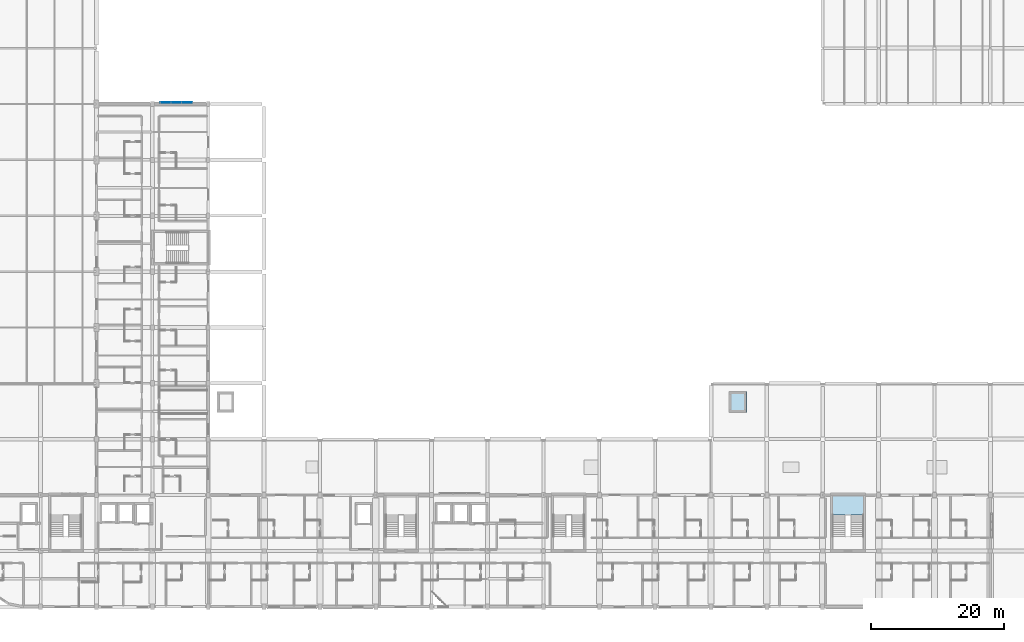
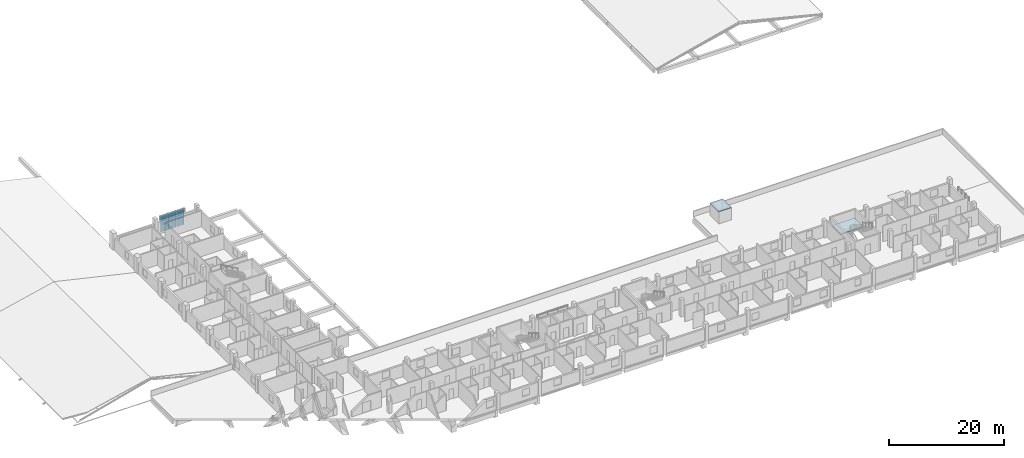
# One storey, part 15 of 42: 6 plates, 2 slabs, 2 elements without a shape of their own.
"""IFC4 building model written with IfcOpenShell, lengths in metres."""

from ifc_helpers import new_model, si_unit, derived_unit, direction, frame, origin, origin_2d, place, context, subcontext, project, spatial, polyline, rectangle, outline, extrude, material, layer, layer_set, type_object, element, aggregate, save


model = new_model("IFC4")

# Units and contexts
model_context = context("Model", 3, precision=1e-05, world=origin(), true_north=direction((0.0, 1.0)))
body_context = subcontext(model_context, "Body", "Model", "MODEL_VIEW")
ifc_project = project(units=[si_unit("LENGTHUNIT", "METRE"), si_unit("AREAUNIT", "SQUARE_METRE"), si_unit("VOLUMEUNIT", "CUBIC_METRE"), si_unit("PLANEANGLEUNIT", "RADIAN"), si_unit("MASSUNIT", "GRAM", prefix="KILO"), derived_unit("THERMALTRANSMITTANCEUNIT", [(si_unit("POWERUNIT", "WATT"), 1), (si_unit("LENGTHUNIT", "METRE"), -2), (si_unit("THERMODYNAMICTEMPERATUREUNIT", "KELVIN"), -1)])], contexts=[model_context])

# Site, building, storey
site_placement = place(None, origin())
site = spatial("IfcSite", under=ifc_project, at=site_placement, CompositionType="ELEMENT")
building_placement = place(site_placement, origin())
building = spatial("IfcBuilding", under=site, at=building_placement, Name="Barrovel Congress Hotel", CompositionType="ELEMENT")
storey_placement = place(building_placement, frame((0.0, 0.0, 18.300048828125)))
storey = spatial("IfcBuildingStorey", under=building, at=storey_placement, Name="L04", CompositionType="ELEMENT", Elevation=18.300048828125)

# Curtain wall, plates
ifc_material_1 = material(Name="Anodised Aluminium Alloy 6063-T6", Category="aluminium")
curtain_wall_type = type_object("IfcCurtainWallType", Name="CW-UN-4800x3200", PredefinedType="USERDEFINED", material=ifc_material_1)
curtain_wall_placement = place(storey_placement, origin())
curtain_wall = element("IfcCurtainWall", 1, at=curtain_wall_placement, inside=storey, type_object=curtain_wall_type, Name="CW:L04:UN-2", ObjectType="UNITISED CURTAIN WALL", PredefinedType="USERDEFINED")
ifc_material_2 = material(Name="Double Low-E Insulated Glazing", Category="glass")
ifc_layer_1 = layer(ifc_material_2, 0.028076171875)
ifc_layer_set_1 = layer_set([ifc_layer_1], Name="Double Low-E Insulated Glazing")
plate_type = type_object("IfcPlateType", Name="CWP-28", PredefinedType="CURTAIN_PANEL", material=ifc_layer_set_1)
plate_1_placement = place(storey_placement, frame((44.0, 80.02001953125, 0.030029296875), z_axis=(0.0, 0.0, 1.0), x_axis=(1.0, 0.0, 0.0)))
plate_1 = element("IfcPlate", 2, at=plate_1_placement, type_object=plate_type, Name="CW:L04:UN-2:P0-0", PredefinedType="CURTAIN_PANEL", context=body_context, shape_type="SweptSolid", body=[
    extrude(rectangle(XDim=1.5400390625, YDim=0.028076171875, at=origin_2d()), origin(), (0.0, 0.0, 1.0), 1.56494140625),
])
plate_2_placement = place(storey_placement, frame((44.0, 80.02001953125, 1.655029296875), z_axis=(0.0, 0.0, 1.0), x_axis=(1.0, 0.0, 0.0)))
plate_2 = element("IfcPlate", 3, at=plate_2_placement, type_object=plate_type, Name="CW:L04:UN-2:P0-1", PredefinedType="CURTAIN_PANEL", context=body_context, shape_type="SweptSolid", body=[
    extrude(rectangle(XDim=1.5400390625, YDim=0.028076171875, at=origin_2d()), origin(), (0.0, 0.0, 1.0), 1.56494140625),
])
plate_3_placement = place(storey_placement, frame((45.60009765625, 80.02001953125, 0.030029296875), z_axis=(0.0, 0.0, 1.0), x_axis=(1.0, 0.0, 0.0)))
plate_3 = element("IfcPlate", 4, at=plate_3_placement, type_object=plate_type, Name="CW:L04:UN-2:P1-0", PredefinedType="CURTAIN_PANEL", context=body_context, shape_type="SweptSolid", body=[
    extrude(rectangle(XDim=1.5400390625, YDim=0.028076171875, at=origin_2d()), origin(), (0.0, 0.0, 1.0), 1.56494140625),
])
plate_4_placement = place(storey_placement, frame((45.60009765625, 80.02001953125, 1.655029296875), z_axis=(0.0, 0.0, 1.0), x_axis=(1.0, 0.0, 0.0)))
plate_4 = element("IfcPlate", 5, at=plate_4_placement, type_object=plate_type, Name="CW:L04:UN-2:P1-1", PredefinedType="CURTAIN_PANEL", context=body_context, shape_type="SweptSolid", body=[
    extrude(rectangle(XDim=1.5400390625, YDim=0.028076171875, at=origin_2d()), origin(), (0.0, 0.0, 1.0), 1.56494140625),
])
plate_5_placement = place(storey_placement, frame((47.199951171875, 80.02001953125, 0.030029296875), z_axis=(0.0, 0.0, 1.0), x_axis=(1.0, 0.0, 0.0)))
plate_5 = element("IfcPlate", 6, at=plate_5_placement, type_object=plate_type, Name="CW:L04:UN-2:P2-0", PredefinedType="CURTAIN_PANEL", context=body_context, shape_type="SweptSolid", body=[
    extrude(rectangle(XDim=1.5400390625, YDim=0.028076171875, at=origin_2d()), origin(), (0.0, 0.0, 1.0), 1.56494140625),
])
plate_6_placement = place(storey_placement, frame((47.199951171875, 80.02001953125, 1.655029296875), z_axis=(0.0, 0.0, 1.0), x_axis=(1.0, 0.0, 0.0)))
plate_6 = element("IfcPlate", 7, at=plate_6_placement, type_object=plate_type, Name="CW:L04:UN-2:P2-1", PredefinedType="CURTAIN_PANEL", context=body_context, shape_type="SweptSolid", body=[
    extrude(rectangle(XDim=1.5400390625, YDim=0.028076171875, at=origin_2d()), origin(), (0.0, 0.0, 1.0), 1.56494140625),
])
aggregate(curtain_wall, [plate_1, plate_2, plate_3, plate_4, plate_5, plate_6])

# Stair, slab
ifc_material_3 = material(Name="Concrete C40", Category="concrete")
stair_type = type_object("IfcStairType", Name="STR-HT-360", PredefinedType="HALF_TURN_STAIR", material=ifc_material_3)
stair_placement = place(storey_placement, origin())
stair = element("IfcStair", 8, at=stair_placement, inside=storey, type_object=stair_type, Name="Exit Stair XS-04 (L04)", PredefinedType="HALF_TURN_STAIR")
ifc_layer_2 = layer(ifc_material_3, 0.18994140625)
ifc_layer_set_2 = layer_set([ifc_layer_2], Name="Concrete C40")
slab_type_1 = type_object("IfcSlabType", Name="SL-LDG-190", PredefinedType="LANDING", material=ifc_layer_set_2)
slab_1_placement = place(storey_placement, frame((0.0, 0.0, 1.60986328125)))
slab_1 = element("IfcSlab", 9, at=slab_1_placement, type_object=slab_type_1, Name="STAIR:XS-04:L04:LDG", PredefinedType="LANDING", context=body_context, shape_type="SweptSolid", body=[
    extrude(outline(polyline([(144.280029296875, 18.010009765625), (148.919921875, 18.010009765625), (148.919921875, 21.02001953125), (144.280029296875, 21.02001953125), (144.280029296875, 18.010009765625)])), origin(), (0.0, 0.0, 1.0), 0.190185546875),
])
aggregate(stair, [slab_1])

# Slab
ifc_material_4 = material(Name="Concrete C35", Category="concrete")
ifc_layer_3 = layer(ifc_material_4, 0.139892578125)
ifc_layer_set_3 = layer_set([ifc_layer_3], Name="Concrete C35")
slab_type_2 = type_object("IfcSlabType", Name="SL-R140", PredefinedType="ROOF", material=ifc_layer_set_3)
slab_2_placement = place(storey_placement, frame((0.0, 0.0, 2.510009765625)))
element("IfcSlab", 10, at=slab_2_placement, inside=storey, type_object=slab_type_2, Name="Lift Overrun Roof CL-2", PredefinedType="ROOF", context=body_context, shape_type="SweptSolid", body=[
    extrude(outline(polyline([(128.699951171875, 33.449951171875), (131.300048828125, 33.449951171875), (131.300048828125, 36.550048828125), (128.699951171875, 36.550048828125), (128.699951171875, 33.449951171875)])), origin(), (0.0, 0.0, 1.0), 0.139892578125),
])

save(model, "model.ifc")
